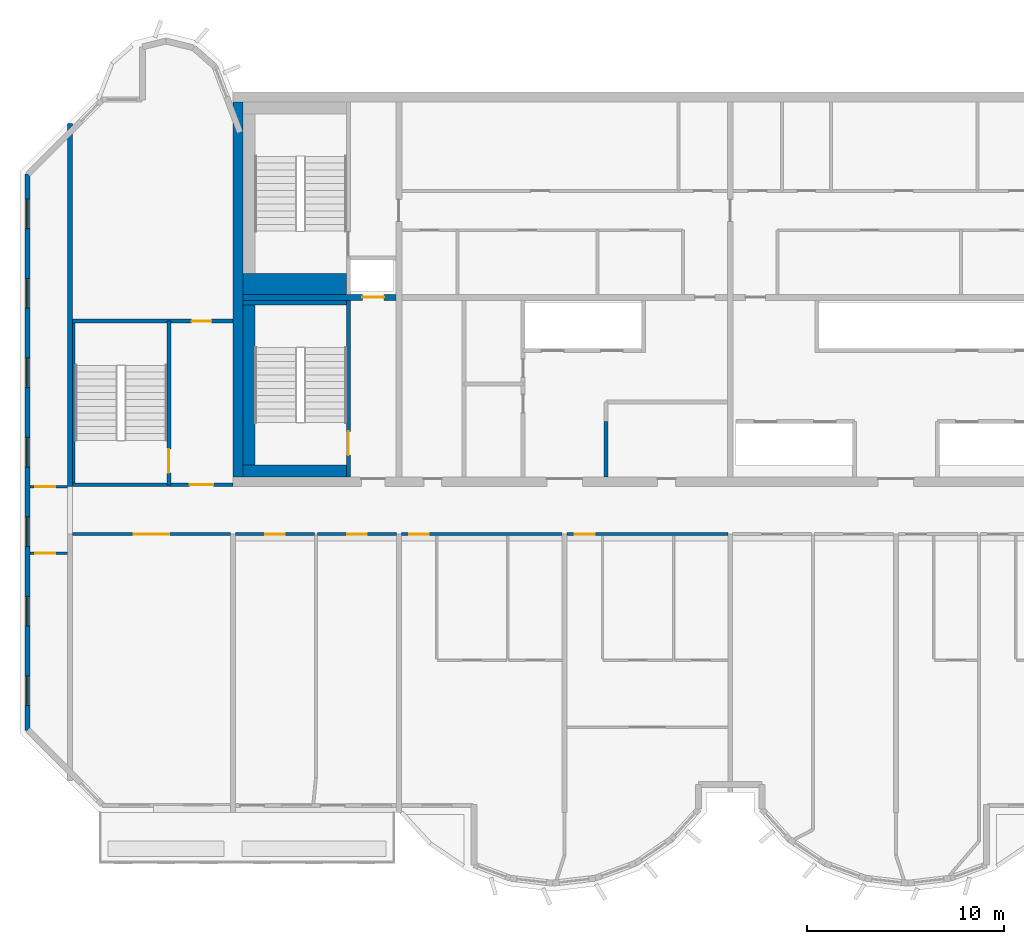
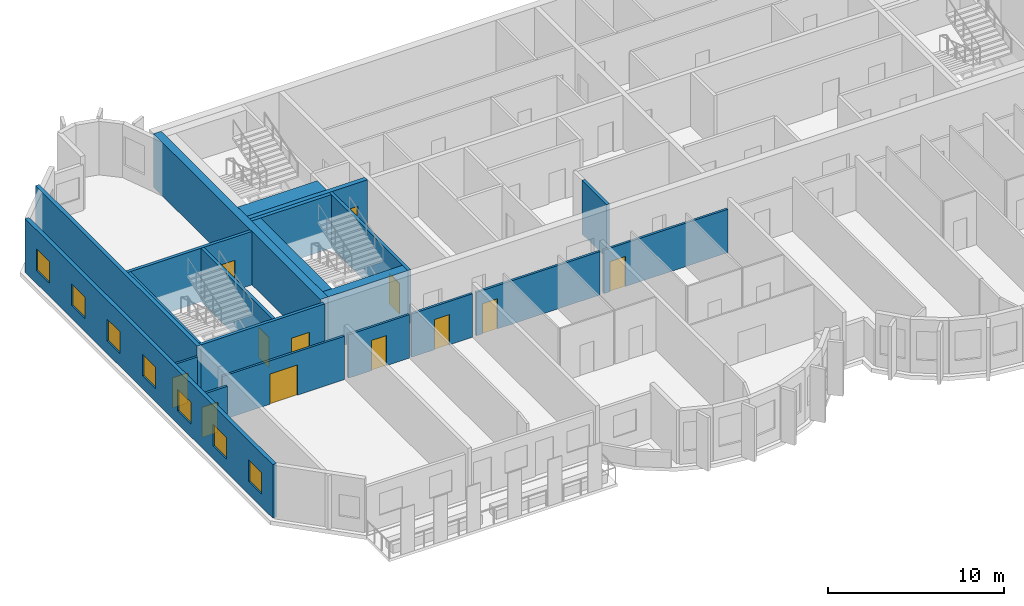
# One storey, part 3 of 12: 21 walls, 12 doors, 7 windows, 19 openings.
"""IFC4 building model written with IfcOpenShell, lengths in metres."""

from ifc_helpers import new_model, si_unit, direction, frame, frame_2d, origin, place, context, subcontext, project, spatial, rectangle, extrude, source, transform, mapped, material, layer, layer_set, type_object, element, fill, save


model = new_model("IFC4")

# Units and contexts
model_context = context("Model", 3, precision=1e-05, world=origin(), true_north=direction((0.0, 1.0)))
body_context = subcontext(model_context, "Body", "Model", "MODEL_VIEW")
ifc_project = project(units=[si_unit("LENGTHUNIT", "METRE"), si_unit("AREAUNIT", "SQUARE_METRE"), si_unit("VOLUMEUNIT", "CUBIC_METRE"), si_unit("PLANEANGLEUNIT", "RADIAN"), si_unit("MASSUNIT", "GRAM", prefix="KILO")], contexts=[model_context])

# Site, building, storey
site_placement = place(None, origin())
site = spatial("IfcSite", under=ifc_project, at=site_placement, CompositionType="ELEMENT")
building_placement = place(site_placement, origin())
building = spatial("IfcBuilding", under=site, at=building_placement, Name="Vanashikhar Sky Hotel", CompositionType="ELEMENT")
storey_placement = place(building_placement, frame((0.0, 0.0, 313.699951171875)))
storey = spatial("IfcBuildingStorey", under=building, at=storey_placement, Name="L75", CompositionType="ELEMENT", Elevation=313.699951171875)

# Wall
ifc_material_1 = material(Name="Concrete M50", Category="concrete")
ifc_layer_1 = layer(ifc_material_1, 0.5)
ifc_layer_set_1 = layer_set([ifc_layer_1], Name="RC core shell wall 500 Concrete M50")
wall_type_1 = type_object("IfcWallType", Name="RC core shell wall 500 Concrete M50", PredefinedType="SHEAR", material=ifc_layer_set_1)
shared_shape_1 = source(origin(), body_context, "Body", "SweptSolid", [
    extrude(rectangle(XDim=19.0, YDim=0.5, at=frame_2d((9.5, 0.0))), origin(), (0.0, 0.0, 1.0), 3.719970703125),
])
wall_1_placement = place(storey_placement, frame((25.449951171875, 22.5, 0.0), z_axis=(0.0, 0.0, 1.0), x_axis=(0.0, 1.0, 0.0)))
element("IfcWall", 1, at=wall_1_placement, inside=storey, type_object=wall_type_1, Name="KW-L75-KW", PredefinedType="SHEAR", context=body_context, shape_type="MappedRepresentation", body=[
    mapped(shared_shape_1, transform((0.0, 0.0, 0.0), scale=1.0)),
])

# Wall, opening, door
ifc_layer_2 = layer(ifc_material_1, 0.300048828125)
ifc_layer_set_2 = layer_set([ifc_layer_2], Name="RC core inner wall 300 Concrete M50")
wall_type_2 = type_object("IfcWallType", Name="RC core inner wall 300 Concrete M50", PredefinedType="SHEAR", material=ifc_layer_set_2)
shared_shape_2 = source(origin(), body_context, "Body", "SweptSolid", [
    extrude(rectangle(XDim=7.75, YDim=0.300048828125, at=frame_2d((3.875, 0.0))), origin(), (0.0, 0.0, 1.0), 3.719970703125),
])
wall_2_placement = place(storey_placement, frame((25.699951171875, 31.60009765625, 0.0), z_axis=(0.0, 0.0, 1.0), x_axis=(1.0, 0.0, 0.0)))
wall_2 = element("IfcWall", 2, at=wall_2_placement, inside=storey, type_object=wall_type_2, Name="KW-L75-KY1", PredefinedType="SHEAR", context=body_context, shape_type="MappedRepresentation", body=[
    mapped(shared_shape_2, transform((0.0, 0.0, 0.0), scale=1.0)),
])
shared_shape_3 = source(origin(), body_context, "Body", "SweptSolid", [
    extrude(rectangle(XDim=1.10009765625, YDim=2.10009765625, at=frame_2d((0.550048828125, 1.050048828125))), frame((0.0, 0.16015625, 0.0), z_axis=(0.0, -1.0, 0.0), x_axis=(1.0, 0.0, 0.0)), (0.0, 0.0, 1.0), 0.320068359375),
])
opening_1_placement = place(wall_2_placement, frame((6.050048828125, 0.0, 0.0)))
opening_1 = element("IfcOpeningElement", 3, at=opening_1_placement, cuts=wall_2, Name="Opening LD", PredefinedType="OPENING", context=body_context, shape_type="MappedRepresentation", body=[
    mapped(shared_shape_3, transform((0.0, 0.0, 0.0), scale=1.0)),
])
ifc_material_2 = material(Name="Stainless steel", Category="steel")
door_type_1 = type_object("IfcDoorType", Name="Lift landing door 1100", OperationType="NOTDEFINED", PredefinedType="DOOR", material=ifc_material_2)
shared_shape_4 = source(origin(), body_context, "Body", "SweptSolid", [
    extrude(rectangle(XDim=1.10009765625, YDim=2.10009765625, at=frame_2d((0.550048828125, 1.050048828125))), frame((0.0, 0.02490234375, 0.0), z_axis=(0.0, -1.0, 0.0), x_axis=(1.0, 0.0, 0.0)), (0.0, 0.0, 1.0), 0.050048828125),
])
door_1_placement = place(opening_1_placement, origin())
door_1 = element("IfcDoor", 4, at=door_1_placement, inside=storey, type_object=door_type_1, Name="Lift landing door 1100", OperationType="SLIDING_TO_RIGHT", OverallHeight=2.10009765625, OverallWidth=1.10009765625, PredefinedType="DOOR", context=body_context, shape_type="MappedRepresentation", body=[
    mapped(shared_shape_4, transform((0.0, 0.0, 0.0), scale=1.0)),
])
fill(opening_1, door_1)

# Wall
ifc_layer_3 = layer(ifc_material_1, 0.25)
ifc_layer_set_3 = layer_set([ifc_layer_3], Name="RC shear wall 250 Concrete M50")
wall_type_3 = type_object("IfcWallType", Name="RC shear wall 250 Concrete M50", PredefinedType="SHEAR", material=ifc_layer_set_3)
shared_shape_5 = source(origin(), body_context, "Body", "SweptSolid", [
    extrude(rectangle(XDim=18.39990234375, YDim=0.25, at=frame_2d((9.199951171875, 0.0))), origin(), (0.0, 0.0, 1.0), 3.719970703125),
])
wall_3_placement = place(storey_placement, frame((16.925048828125, 22.0, 0.0), z_axis=(0.0, 0.0, 1.0), x_axis=(0.0, 1.0, 0.0)))
element("IfcWall", 5, at=wall_3_placement, inside=storey, type_object=wall_type_3, Name="CW-L75-XW03-2", PredefinedType="SHEAR", context=body_context, shape_type="MappedRepresentation", body=[
    mapped(shared_shape_5, transform((0.0, 0.0, 0.0), scale=1.0)),
])

# Wall, openings, windows
ifc_layer_4 = layer(ifc_material_1, 0.25)
ifc_layer_set_4 = layer_set([ifc_layer_4], Name="Rear and end board-marked wall 250")
wall_type_4 = type_object("IfcWallType", Name="Rear and end board-marked wall 250", PredefinedType="SOLIDWALL", material=ifc_layer_set_4)
shared_shape_6 = source(origin(), body_context, "Body", "SweptSolid", [
    extrude(rectangle(XDim=28.189453125, YDim=0.25, at=frame_2d((14.0947265625, 0.0))), origin(), (0.0, 0.0, 1.0), 3.719970703125),
])
wall_4_placement = place(storey_placement, frame((14.77490234375, 37.8447265625, 0.0), z_axis=(0.0, 0.0, 1.0), x_axis=(0.0, -1.0, 0.0)))
wall_4 = element("IfcWall", 6, at=wall_4_placement, inside=storey, type_object=wall_type_4, Name="End board-marked wall", PredefinedType="SOLIDWALL", context=body_context, shape_type="MappedRepresentation", body=[
    mapped(shared_shape_6, transform((0.0, 0.0, 0.0), scale=1.0)),
])
shared_shape_7 = source(origin(), body_context, "Body", "SweptSolid", [
    extrude(rectangle(XDim=1.5, YDim=1.5, at=frame_2d((0.75, 0.75))), frame((0.0, 0.135009765625, 0.0), z_axis=(0.0, -1.0, 0.0), x_axis=(1.0, 0.0, 0.0)), (0.0, 0.0, 1.0), 0.27001953125),
])
opening_2_placement = place(wall_4_placement, frame((1.263427734375, 0.0, 0.89990234375)))
opening_2 = element("IfcOpeningElement", 7, at=opening_2_placement, cuts=wall_4, Name="Opening WN-1", PredefinedType="OPENING", context=body_context, shape_type="MappedRepresentation", body=[
    mapped(shared_shape_7, transform((0.0, 0.0, 0.0), scale=1.0)),
])
opening_3_placement = place(wall_4_placement, frame((5.29052734375, 0.0, 0.89990234375)))
opening_3 = element("IfcOpeningElement", 8, at=opening_3_placement, cuts=wall_4, Name="Opening WN-1", PredefinedType="OPENING", context=body_context, shape_type="MappedRepresentation", body=[
    mapped(shared_shape_7, transform((0.0, 0.0, 0.0), scale=1.0)),
])
opening_4_placement = place(wall_4_placement, frame((9.317626953125, 0.0, 0.89990234375)))
opening_4 = element("IfcOpeningElement", 9, at=opening_4_placement, cuts=wall_4, Name="Opening WN-1", PredefinedType="OPENING", context=body_context, shape_type="MappedRepresentation", body=[
    mapped(shared_shape_7, transform((0.0, 0.0, 0.0), scale=1.0)),
])
opening_5_placement = place(wall_4_placement, frame((13.3447265625, 0.0, 0.89990234375)))
opening_5 = element("IfcOpeningElement", 10, at=opening_5_placement, cuts=wall_4, Name="Opening WN-1", PredefinedType="OPENING", context=body_context, shape_type="MappedRepresentation", body=[
    mapped(shared_shape_7, transform((0.0, 0.0, 0.0), scale=1.0)),
])
opening_6_placement = place(wall_4_placement, frame((17.371826171875, 0.0, 0.89990234375)))
opening_6 = element("IfcOpeningElement", 11, at=opening_6_placement, cuts=wall_4, Name="Opening WN-1", PredefinedType="OPENING", context=body_context, shape_type="MappedRepresentation", body=[
    mapped(shared_shape_7, transform((0.0, 0.0, 0.0), scale=1.0)),
])
opening_7_placement = place(wall_4_placement, frame((21.398681640625, 0.0, 0.89990234375)))
opening_7 = element("IfcOpeningElement", 12, at=opening_7_placement, cuts=wall_4, Name="Opening WN-1", PredefinedType="OPENING", context=body_context, shape_type="MappedRepresentation", body=[
    mapped(shared_shape_7, transform((0.0, 0.0, 0.0), scale=1.0)),
])
opening_8_placement = place(wall_4_placement, frame((25.42578125, 0.0, 0.89990234375)))
opening_8 = element("IfcOpeningElement", 13, at=opening_8_placement, cuts=wall_4, Name="Opening WN-1", PredefinedType="OPENING", context=body_context, shape_type="MappedRepresentation", body=[
    mapped(shared_shape_7, transform((0.0, 0.0, 0.0), scale=1.0)),
])
ifc_material_3 = material(Name="Glass", Category="glass")
window_type = type_object("IfcWindowType", Name="Window 1500 x 1500", PartitioningType="SINGLE_PANEL", PredefinedType="WINDOW", material=ifc_material_3)
shared_shape_8 = source(origin(), body_context, "Body", "SweptSolid", [
    extrude(rectangle(XDim=1.5, YDim=1.5, at=frame_2d((0.75, 0.75))), frame((0.0, 0.030029296875, 0.0), z_axis=(0.0, -1.0, 0.0), x_axis=(1.0, 0.0, 0.0)), (0.0, 0.0, 1.0), 0.06005859375),
])
window_1_placement = place(opening_2_placement, origin())
window_1 = element("IfcWindow", 14, at=window_1_placement, inside=storey, type_object=window_type, Name="Window WN-1", OverallHeight=1.5, OverallWidth=1.5, PartitioningType="SINGLE_PANEL", PredefinedType="WINDOW", context=body_context, shape_type="MappedRepresentation", body=[
    mapped(shared_shape_8, transform((0.0, 0.0, 0.0), scale=1.0)),
])
fill(opening_2, window_1)
window_2_placement = place(opening_3_placement, origin())
window_2 = element("IfcWindow", 15, at=window_2_placement, inside=storey, type_object=window_type, Name="Window WN-1", OverallHeight=1.5, OverallWidth=1.5, PartitioningType="SINGLE_PANEL", PredefinedType="WINDOW", context=body_context, shape_type="MappedRepresentation", body=[
    mapped(shared_shape_8, transform((0.0, 0.0, 0.0), scale=1.0)),
])
fill(opening_3, window_2)
window_3_placement = place(opening_4_placement, origin())
window_3 = element("IfcWindow", 16, at=window_3_placement, inside=storey, type_object=window_type, Name="Window WN-1", OverallHeight=1.5, OverallWidth=1.5, PartitioningType="SINGLE_PANEL", PredefinedType="WINDOW", context=body_context, shape_type="MappedRepresentation", body=[
    mapped(shared_shape_8, transform((0.0, 0.0, 0.0), scale=1.0)),
])
fill(opening_4, window_3)
window_4_placement = place(opening_5_placement, origin())
window_4 = element("IfcWindow", 17, at=window_4_placement, inside=storey, type_object=window_type, Name="Window WN-1", OverallHeight=1.5, OverallWidth=1.5, PartitioningType="SINGLE_PANEL", PredefinedType="WINDOW", context=body_context, shape_type="MappedRepresentation", body=[
    mapped(shared_shape_8, transform((0.0, 0.0, 0.0), scale=1.0)),
])
fill(opening_5, window_4)
window_5_placement = place(opening_6_placement, origin())
window_5 = element("IfcWindow", 18, at=window_5_placement, inside=storey, type_object=window_type, Name="Window WN-1", OverallHeight=1.5, OverallWidth=1.5, PartitioningType="SINGLE_PANEL", PredefinedType="WINDOW", context=body_context, shape_type="MappedRepresentation", body=[
    mapped(shared_shape_8, transform((0.0, 0.0, 0.0), scale=1.0)),
])
fill(opening_6, window_5)
window_6_placement = place(opening_7_placement, origin())
window_6 = element("IfcWindow", 19, at=window_6_placement, inside=storey, type_object=window_type, Name="Window WN-1", OverallHeight=1.5, OverallWidth=1.5, PartitioningType="SINGLE_PANEL", PredefinedType="WINDOW", context=body_context, shape_type="MappedRepresentation", body=[
    mapped(shared_shape_8, transform((0.0, 0.0, 0.0), scale=1.0)),
])
fill(opening_7, window_6)
window_7_placement = place(opening_8_placement, origin())
window_7 = element("IfcWindow", 20, at=window_7_placement, inside=storey, type_object=window_type, Name="Window WN-1", OverallHeight=1.5, OverallWidth=1.5, PartitioningType="SINGLE_PANEL", PredefinedType="WINDOW", context=body_context, shape_type="MappedRepresentation", body=[
    mapped(shared_shape_8, transform((0.0, 0.0, 0.0), scale=1.0)),
])
fill(opening_8, window_7)

# Wall
ifc_material_4 = material(Name="Gypsum board partition")
ifc_layer_5 = layer(ifc_material_4, 0.14990234375)
ifc_layer_set_5 = layer_set([ifc_layer_5], Name="Service partition 150")
wall_type_5 = type_object("IfcWallType", Name="Service partition 150", PredefinedType="PARTITIONING", material=ifc_layer_set_5)
shared_shape_9 = source(origin(), body_context, "Body", "SweptSolid", [
    extrude(rectangle(XDim=2.800048828125, YDim=0.199951171875, at=frame_2d((1.39990234375, 0.0))), origin(), (0.0, 0.0, 1.0), 3.719970703125),
])
wall_5_placement = place(storey_placement, frame((44.10009765625, 22.5, 0.0), z_axis=(0.0, 0.0, 1.0), x_axis=(0.0, 1.0, 0.0)))
element("IfcWall", 21, at=wall_5_placement, inside=storey, type_object=wall_type_5, Name="Service partition 150", PredefinedType="PARTITIONING", context=body_context, shape_type="MappedRepresentation", body=[
    mapped(shared_shape_9, transform((0.0, 0.0, 0.0), scale=1.0)),
])

# Wall, opening, door
ifc_layer_6 = layer(ifc_material_1, 0.199951171875)
ifc_layer_set_6 = layer_set([ifc_layer_6], Name="Stair wall 200")
wall_type_6 = type_object("IfcWallType", Name="Stair wall 200", PredefinedType="SOLIDWALL", material=ifc_layer_set_6)
shared_shape_10 = source(origin(), body_context, "Body", "SweptSolid", [
    extrude(rectangle(XDim=8.949951171875, YDim=0.199951171875, at=frame_2d((4.47509765625, 0.0))), origin(), (0.0, 0.0, 1.0), 3.719970703125),
])
wall_6_placement = place(storey_placement, frame((31.050048828125, 22.5, 0.0), z_axis=(0.0, 0.0, 1.0), x_axis=(0.0, 1.0, 0.0)))
wall_6 = element("IfcWall", 22, at=wall_6_placement, inside=storey, type_object=wall_type_6, Name="Stair wall 200", PredefinedType="SOLIDWALL", context=body_context, shape_type="MappedRepresentation", body=[
    mapped(shared_shape_10, transform((0.0, 0.0, 0.0), scale=1.0)),
])
shared_shape_11 = source(origin(), body_context, "Body", "SweptSolid", [
    extrude(rectangle(XDim=1.199951171875, YDim=2.10009765625, at=frame_2d((0.60009765625, 1.050048828125))), frame((0.0, 0.10986328125, 0.0), z_axis=(0.0, -1.0, 0.0), x_axis=(1.0, 0.0, 0.0)), (0.0, 0.0, 1.0), 0.219970703125),
])
opening_9_placement = place(wall_6_placement, frame((1.10009765625, 0.0, 0.0)))
opening_9 = element("IfcOpeningElement", 23, at=opening_9_placement, cuts=wall_6, Name="Opening DC-1", PredefinedType="OPENING", context=body_context, shape_type="MappedRepresentation", body=[
    mapped(shared_shape_11, transform((0.0, 0.0, 0.0), scale=1.0)),
])
ifc_material_5 = material(Name="Steel", Category="steel")
door_type_2 = type_object("IfcDoorType", Name="Stair door 1200 FD120", OperationType="NOTDEFINED", PredefinedType="DOOR", material=ifc_material_5)
shared_shape_12 = source(origin(), body_context, "Body", "SweptSolid", [
    extrude(rectangle(XDim=1.199951171875, YDim=2.10009765625, at=frame_2d((0.60009765625, 1.050048828125))), frame((0.0, 0.02490234375, 0.0), z_axis=(0.0, -1.0, 0.0), x_axis=(1.0, 0.0, 0.0)), (0.0, 0.0, 1.0), 0.050048828125),
])
door_2_placement = place(opening_9_placement, origin())
door_2 = element("IfcDoor", 24, at=door_2_placement, inside=storey, type_object=door_type_2, Name="Stair door 1200 FD120", OperationType="SINGLE_SWING_RIGHT", OverallHeight=2.10009765625, OverallWidth=1.199951171875, PredefinedType="DOOR", context=body_context, shape_type="MappedRepresentation", body=[
    mapped(shared_shape_12, transform((0.0, 0.0, 0.0), scale=1.0)),
])
fill(opening_9, door_2)

shared_shape_13 = source(origin(), body_context, "Body", "SweptSolid", [
    extrude(rectangle(XDim=8.2998046875, YDim=0.199951171875, at=frame_2d((4.14990234375, 0.0))), origin(), (0.0, 0.0, 1.0), 3.719970703125),
])
wall_7_placement = place(storey_placement, frame((21.949951171875, 22.10009765625, 0.0), z_axis=(0.0, 0.0, 1.0), x_axis=(0.0, 1.0, 0.0)))
wall_7 = element("IfcWall", 25, at=wall_7_placement, inside=storey, type_object=wall_type_6, Name="Stair wall 200", PredefinedType="SOLIDWALL", context=body_context, shape_type="MappedRepresentation", body=[
    mapped(shared_shape_13, transform((0.0, 0.0, 0.0), scale=1.0)),
])
opening_10_placement = place(wall_7_placement, frame((0.60009765625, 0.0, 0.0)))
opening_10 = element("IfcOpeningElement", 26, at=opening_10_placement, cuts=wall_7, Name="Opening DC-1", PredefinedType="OPENING", context=body_context, shape_type="MappedRepresentation", body=[
    mapped(shared_shape_11, transform((0.0, 0.0, 0.0), scale=1.0)),
])
door_3_placement = place(opening_10_placement, origin())
door_3 = element("IfcDoor", 27, at=door_3_placement, inside=storey, type_object=door_type_2, Name="Stair door 1200 FD120", OperationType="SINGLE_SWING_RIGHT", OverallHeight=2.10009765625, OverallWidth=1.199951171875, PredefinedType="DOOR", context=body_context, shape_type="MappedRepresentation", body=[
    mapped(shared_shape_12, transform((0.0, 0.0, 0.0), scale=1.0)),
])
fill(opening_10, door_3)

shared_shape_14 = source(origin(), body_context, "Body", "SweptSolid", [
    extrude(rectangle(XDim=8.14990234375, YDim=0.199951171875, at=frame_2d((4.074951171875, 0.0))), origin(), (0.0, 0.0, 1.0), 3.719970703125),
])
wall_8_placement = place(storey_placement, frame((17.050048828125, 22.10009765625, 0.0), z_axis=(0.0, 0.0, 1.0), x_axis=(1.0, 0.0, 0.0)))
wall_8 = element("IfcWall", 28, at=wall_8_placement, inside=storey, type_object=wall_type_6, Name="Stair wall 200", PredefinedType="SOLIDWALL", context=body_context, shape_type="MappedRepresentation", body=[
    mapped(shared_shape_14, transform((0.0, 0.0, 0.0), scale=1.0)),
])
opening_11_placement = place(wall_8_placement, frame((5.949951171875, 0.0, 0.0)))
opening_11 = element("IfcOpeningElement", 29, at=opening_11_placement, cuts=wall_8, Name="Opening DC-2", PredefinedType="OPENING", context=body_context, shape_type="MappedRepresentation", body=[
    mapped(shared_shape_11, transform((0.0, 0.0, 0.0), scale=1.0)),
])
door_type_3 = type_object("IfcDoorType", Name="Firefighting lobby door 1200 FD120", OperationType="NOTDEFINED", PredefinedType="DOOR", material=ifc_material_5)
door_4_placement = place(opening_11_placement, origin())
door_4 = element("IfcDoor", 30, at=door_4_placement, inside=storey, type_object=door_type_3, Name="Firefighting lobby door 1200 FD120", OperationType="SINGLE_SWING_LEFT", OverallHeight=2.10009765625, OverallWidth=1.199951171875, PredefinedType="DOOR", context=body_context, shape_type="MappedRepresentation", body=[
    mapped(shared_shape_12, transform((0.0, 0.0, 0.0), scale=1.0)),
])
fill(opening_11, door_4)

wall_9_placement = place(storey_placement, frame((17.050048828125, 30.39990234375, 0.0), z_axis=(0.0, 0.0, 1.0), x_axis=(1.0, 0.0, 0.0)))
wall_9 = element("IfcWall", 31, at=wall_9_placement, inside=storey, type_object=wall_type_6, Name="Stair wall 200", PredefinedType="SOLIDWALL", context=body_context, shape_type="MappedRepresentation", body=[
    mapped(shared_shape_14, transform((0.0, 0.0, 0.0), scale=1.0)),
])
shared_shape_15 = source(origin(), body_context, "Body", "SweptSolid", [
    extrude(rectangle(XDim=1.0, YDim=2.10009765625, at=frame_2d((0.5, 1.050048828125))), frame((0.0, 0.10986328125, 0.0), z_axis=(0.0, -1.0, 0.0), x_axis=(1.0, 0.0, 0.0)), (0.0, 0.0, 1.0), 0.219970703125),
])
opening_12_placement = place(wall_9_placement, frame((6.050048828125, 0.0, 0.0)))
opening_12 = element("IfcOpeningElement", 32, at=opening_12_placement, cuts=wall_9, Name="Opening DC-6", PredefinedType="OPENING", context=body_context, shape_type="MappedRepresentation", body=[
    mapped(shared_shape_15, transform((0.0, 0.0, 0.0), scale=1.0)),
])
door_type_4 = type_object("IfcDoorType", Name="Pocket door 1000 FD60", OperationType="NOTDEFINED", PredefinedType="DOOR", material=ifc_material_5)
shared_shape_16 = source(origin(), body_context, "Body", "SweptSolid", [
    extrude(rectangle(XDim=1.0, YDim=2.10009765625, at=frame_2d((0.5, 1.050048828125))), frame((0.0, 0.02490234375, 0.0), z_axis=(0.0, -1.0, 0.0), x_axis=(1.0, 0.0, 0.0)), (0.0, 0.0, 1.0), 0.050048828125),
])
door_5_placement = place(opening_12_placement, origin())
door_5 = element("IfcDoor", 33, at=door_5_placement, inside=storey, type_object=door_type_4, Name="Pocket door 1000 FD60", OperationType="SINGLE_SWING_LEFT", OverallHeight=2.10009765625, OverallWidth=1.0, PredefinedType="DOOR", context=body_context, shape_type="MappedRepresentation", body=[
    mapped(shared_shape_16, transform((0.0, 0.0, 0.0), scale=1.0)),
])
fill(opening_12, door_5)

# Walls
ifc_layer_7 = layer(ifc_material_1, 0.60009765625)
ifc_layer_set_7 = layer_set([ifc_layer_7], Name="Stair infill wall 600")
wall_type_7 = type_object("IfcWallType", Name="Stair infill wall 600", PredefinedType="SOLIDWALL", material=ifc_layer_set_7)
shared_shape_17 = source(origin(), body_context, "Body", "SweptSolid", [
    extrude(rectangle(XDim=5.25, YDim=0.60009765625, at=frame_2d((2.625, 0.0))), origin(), (0.0, 0.0, 1.0), 3.719970703125),
])
wall_10_placement = place(storey_placement, frame((25.699951171875, 22.800048828125, 0.0), z_axis=(0.0, 0.0, 1.0), x_axis=(1.0, 0.0, 0.0)))
element("IfcWall", 34, at=wall_10_placement, inside=storey, type_object=wall_type_7, Name="Stair infill wall 600", PredefinedType="SOLIDWALL", context=body_context, shape_type="MappedRepresentation", body=[
    mapped(shared_shape_17, transform((0.0, 0.0, 0.0), scale=1.0)),
])
ifc_layer_8 = layer(ifc_material_1, 0.25)
ifc_layer_set_8 = layer_set([ifc_layer_8], Name="Stair infill wall 250")
wall_type_8 = type_object("IfcWallType", Name="Stair infill wall 250", PredefinedType="SOLIDWALL", material=ifc_layer_set_8)
shared_shape_18 = source(origin(), body_context, "Body", "SweptSolid", [
    extrude(rectangle(XDim=5.25, YDim=0.25, at=frame_2d((2.625, 0.0))), origin(), (0.0, 0.0, 1.0), 3.719970703125),
])
wall_11_placement = place(storey_placement, frame((25.699951171875, 31.324951171875, 0.0), z_axis=(0.0, 0.0, 1.0), x_axis=(1.0, 0.0, 0.0)))
element("IfcWall", 35, at=wall_11_placement, inside=storey, type_object=wall_type_8, Name="Stair infill wall 250", PredefinedType="SOLIDWALL", context=body_context, shape_type="MappedRepresentation", body=[
    mapped(shared_shape_18, transform((0.0, 0.0, 0.0), scale=1.0)),
])
shared_shape_19 = source(origin(), body_context, "Body", "SweptSolid", [
    extrude(rectangle(XDim=8.099853515625, YDim=0.60009765625, at=frame_2d((4.0498046875, 0.0))), origin(), (0.0, 0.0, 1.0), 3.719970703125),
])
wall_12_placement = place(storey_placement, frame((26.0, 23.10009765625, 0.0), z_axis=(0.0, 0.0, 1.0), x_axis=(0.0, 1.0, 0.0)))
element("IfcWall", 36, at=wall_12_placement, inside=storey, type_object=wall_type_7, Name="Stair infill wall 600", PredefinedType="SOLIDWALL", context=body_context, shape_type="MappedRepresentation", body=[
    mapped(shared_shape_19, transform((0.0, 0.0, 0.0), scale=1.0)),
])
ifc_layer_9 = layer(ifc_material_1, 0.14990234375)
ifc_layer_set_9 = layer_set([ifc_layer_9], Name="Stair infill wall 150")
wall_type_9 = type_object("IfcWallType", Name="Stair infill wall 150", PredefinedType="SOLIDWALL", material=ifc_layer_set_9)
shared_shape_20 = source(origin(), body_context, "Body", "SweptSolid", [
    extrude(rectangle(XDim=8.10009765625, YDim=0.14990234375, at=frame_2d((4.050048828125, 0.0))), origin(), (0.0, 0.0, 1.0), 3.719970703125),
])
wall_13_placement = place(storey_placement, frame((17.125, 22.199951171875, 0.0), z_axis=(0.0, 0.0, 1.0), x_axis=(0.0, 1.0, 0.0)))
element("IfcWall", 37, at=wall_13_placement, inside=storey, type_object=wall_type_9, Name="Stair infill wall 150", PredefinedType="SOLIDWALL", context=body_context, shape_type="MappedRepresentation", body=[
    mapped(shared_shape_20, transform((0.0, 0.0, 0.0), scale=1.0)),
])
ifc_layer_10 = layer(ifc_material_1, 1.050048828125)
ifc_layer_set_10 = layer_set([ifc_layer_10], Name="Stair infill wall 1050")
wall_type_10 = type_object("IfcWallType", Name="Stair infill wall 1050", PredefinedType="SOLIDWALL", material=ifc_layer_set_10)
shared_shape_21 = source(origin(), body_context, "Body", "SweptSolid", [
    extrude(rectangle(XDim=5.25, YDim=1.050048828125, at=frame_2d((2.625, 0.0))), origin(), (0.0, 0.0, 1.0), 3.719970703125),
])
wall_14_placement = place(storey_placement, frame((25.699951171875, 32.27490234375, 0.0), z_axis=(0.0, 0.0, 1.0), x_axis=(1.0, 0.0, 0.0)))
element("IfcWall", 38, at=wall_14_placement, inside=storey, type_object=wall_type_10, Name="Stair infill wall 1050", PredefinedType="SOLIDWALL", context=body_context, shape_type="MappedRepresentation", body=[
    mapped(shared_shape_21, transform((0.0, 0.0, 0.0), scale=1.0)),
])

# Wall, opening, door
ifc_material_6 = material(Name="Gypsum plasterboard partition")
ifc_layer_11 = layer(ifc_material_6, 0.14990234375)
ifc_layer_set_11 = layer_set([ifc_layer_11], Name="Corridor and demising partition 150")
wall_type_11 = type_object("IfcWallType", Name="Corridor and demising partition 150", PredefinedType="PARTITIONING", material=ifc_layer_set_11)
shared_shape_22 = source(origin(), body_context, "Body", "SweptSolid", [
    extrude(rectangle(XDim=8.02490234375, YDim=0.14990234375, at=frame_2d((4.012451171875, 0.0))), origin(), (0.0, 0.0, 1.0), 3.02001953125),
])
wall_15_placement = place(storey_placement, frame((17.050048828125, 19.60009765625, 0.0), z_axis=(0.0, 0.0, 1.0), x_axis=(1.0, 0.0, 0.0)))
wall_15 = element("IfcWall", 39, at=wall_15_placement, inside=storey, type_object=wall_type_11, Name="W-L75-PW001", PredefinedType="PARTITIONING", context=body_context, shape_type="MappedRepresentation", body=[
    mapped(shared_shape_22, transform((0.0, 0.0, 0.0), scale=1.0)),
])
shared_shape_23 = source(origin(), body_context, "Body", "SweptSolid", [
    extrude(rectangle(XDim=1.800048828125, YDim=2.10009765625, at=frame_2d((0.89990234375, 1.050048828125))), frame((0.0, 0.0849609375, 0.0), z_axis=(0.0, -1.0, 0.0), x_axis=(1.0, 0.0, 0.0)), (0.0, 0.0, 1.0), 0.169921875),
])
opening_13_placement = place(wall_15_placement, frame((3.113037109375, 0.0, 0.0)))
opening_13 = element("IfcOpeningElement", 40, at=opening_13_placement, cuts=wall_15, Name="Opening D-03", PredefinedType="OPENING", context=body_context, shape_type="MappedRepresentation", body=[
    mapped(shared_shape_23, transform((0.0, 0.0, 0.0), scale=1.0)),
])
ifc_material_7 = material(Name="Timber fire door", Category="wood")
door_type_5 = type_object("IfcDoorType", Name="Double leaf door 1800 FD30S", OperationType="NOTDEFINED", PredefinedType="DOOR", material=ifc_material_7)
shared_shape_24 = source(origin(), body_context, "Body", "SweptSolid", [
    extrude(rectangle(XDim=1.800048828125, YDim=2.10009765625, at=frame_2d((0.89990234375, 1.050048828125))), frame((0.0, 0.02490234375, 0.0), z_axis=(0.0, -1.0, 0.0), x_axis=(1.0, 0.0, 0.0)), (0.0, 0.0, 1.0), 0.050048828125),
])
door_6_placement = place(opening_13_placement, origin())
door_6 = element("IfcDoor", 41, at=door_6_placement, inside=storey, type_object=door_type_5, Name="D-L75-001", OperationType="DOUBLE_DOOR_SINGLE_SWING", OverallHeight=2.10009765625, OverallWidth=1.800048828125, PredefinedType="DOOR", context=body_context, shape_type="MappedRepresentation", body=[
    mapped(shared_shape_24, transform((0.0, 0.0, 0.0), scale=1.0)),
])
fill(opening_13, door_6)

shared_shape_25 = source(origin(), body_context, "Body", "SweptSolid", [
    extrude(rectangle(XDim=8.14990234375, YDim=0.14990234375, at=frame_2d((4.074951171875, 0.0))), origin(), (0.0, 0.0, 1.0), 3.02001953125),
])
wall_16_placement = place(storey_placement, frame((33.72509765625, 19.60009765625, 0.0), z_axis=(0.0, 0.0, 1.0), x_axis=(1.0, 0.0, 0.0)))
wall_16 = element("IfcWall", 42, at=wall_16_placement, inside=storey, type_object=wall_type_11, Name="W-L75-PW009", PredefinedType="PARTITIONING", context=body_context, shape_type="MappedRepresentation", body=[
    mapped(shared_shape_25, transform((0.0, 0.0, 0.0), scale=1.0)),
])
shared_shape_26 = source(origin(), body_context, "Body", "SweptSolid", [
    extrude(rectangle(XDim=1.0, YDim=2.10009765625, at=frame_2d((0.5, 1.050048828125))), frame((0.0, 0.0849609375, 0.0), z_axis=(0.0, -1.0, 0.0), x_axis=(1.0, 0.0, 0.0)), (0.0, 0.0, 1.0), 0.169921875),
])
opening_14_placement = place(wall_16_placement, frame((0.39990234375, 0.0, 0.0)))
opening_14 = element("IfcOpeningElement", 43, at=opening_14_placement, cuts=wall_16, Name="Opening D-01", PredefinedType="OPENING", context=body_context, shape_type="MappedRepresentation", body=[
    mapped(shared_shape_26, transform((0.0, 0.0, 0.0), scale=1.0)),
])
door_type_6 = type_object("IfcDoorType", Name="Guest entry door 1000 FD30S", OperationType="NOTDEFINED", PredefinedType="DOOR", material=ifc_material_7)
door_7_placement = place(opening_14_placement, origin())
door_7 = element("IfcDoor", 44, at=door_7_placement, inside=storey, type_object=door_type_6, Name="D-L75-006", OperationType="SINGLE_SWING_LEFT", OverallHeight=2.10009765625, OverallWidth=1.0, PredefinedType="DOOR", context=body_context, shape_type="MappedRepresentation", body=[
    mapped(shared_shape_16, transform((0.0, 0.0, 0.0), scale=1.0)),
])
fill(opening_14, door_7)

wall_17_placement = place(storey_placement, frame((42.125, 19.60009765625, 0.0), z_axis=(0.0, 0.0, 1.0), x_axis=(1.0, 0.0, 0.0)))
wall_17 = element("IfcWall", 45, at=wall_17_placement, inside=storey, type_object=wall_type_11, Name="W-L75-PW015", PredefinedType="PARTITIONING", context=body_context, shape_type="MappedRepresentation", body=[
    mapped(shared_shape_25, transform((0.0, 0.0, 0.0), scale=1.0)),
])
opening_15_placement = place(wall_17_placement, frame((0.39990234375, 0.0, 0.0)))
opening_15 = element("IfcOpeningElement", 46, at=opening_15_placement, cuts=wall_17, Name="Opening D-01", PredefinedType="OPENING", context=body_context, shape_type="MappedRepresentation", body=[
    mapped(shared_shape_26, transform((0.0, 0.0, 0.0), scale=1.0)),
])
door_8_placement = place(opening_15_placement, origin())
door_8 = element("IfcDoor", 47, at=door_8_placement, inside=storey, type_object=door_type_6, Name="D-L75-010", OperationType="SINGLE_SWING_LEFT", OverallHeight=2.10009765625, OverallWidth=1.0, PredefinedType="DOOR", context=body_context, shape_type="MappedRepresentation", body=[
    mapped(shared_shape_16, transform((0.0, 0.0, 0.0), scale=1.0)),
])
fill(opening_15, door_8)

shared_shape_27 = source(origin(), body_context, "Body", "SweptSolid", [
    extrude(rectangle(XDim=1.900146484375, YDim=0.14990234375, at=frame_2d((0.9501953125, 0.0))), origin(), (0.0, 0.0, 1.0), 3.02001953125),
])
wall_18_placement = place(storey_placement, frame((14.89990234375, 22.0, 0.0), z_axis=(0.0, 0.0, 1.0), x_axis=(1.0, 0.0, 0.0)))
wall_18 = element("IfcWall", 48, at=wall_18_placement, inside=storey, type_object=wall_type_11, Name="W-L75-PW040", PredefinedType="PARTITIONING", context=body_context, shape_type="MappedRepresentation", body=[
    mapped(shared_shape_27, transform((0.0, 0.0, 0.0), scale=1.0)),
])
opening_16_placement = place(wall_18_placement, frame((0.27490234375, 0.0, 0.0)))
opening_16 = element("IfcOpeningElement", 49, at=opening_16_placement, cuts=wall_18, Name="Opening D-01", PredefinedType="OPENING", context=body_context, shape_type="MappedRepresentation", body=[
    mapped(shared_shape_26, transform((0.0, 0.0, 0.0), scale=1.0)),
])
door_9_placement = place(opening_16_placement, origin())
door_9 = element("IfcDoor", 50, at=door_9_placement, inside=storey, type_object=door_type_6, Name="D-L75-024", OperationType="SINGLE_SWING_LEFT", OverallHeight=2.10009765625, OverallWidth=1.0, PredefinedType="DOOR", context=body_context, shape_type="MappedRepresentation", body=[
    mapped(shared_shape_16, transform((0.0, 0.0, 0.0), scale=1.0)),
])
fill(opening_16, door_9)

wall_19_placement = place(storey_placement, frame((14.89990234375, 18.6279296875, 0.0), z_axis=(0.0, 0.0, 1.0), x_axis=(1.0, 0.0, 0.0)))
wall_19 = element("IfcWall", 51, at=wall_19_placement, inside=storey, type_object=wall_type_11, Name="W-L75-PW042", PredefinedType="PARTITIONING", context=body_context, shape_type="MappedRepresentation", body=[
    mapped(shared_shape_27, transform((0.0, 0.0, 0.0), scale=1.0)),
])
opening_17_placement = place(wall_19_placement, frame((0.27490234375, 0.0, 0.0)))
opening_17 = element("IfcOpeningElement", 52, at=opening_17_placement, cuts=wall_19, Name="Opening D-01", PredefinedType="OPENING", context=body_context, shape_type="MappedRepresentation", body=[
    mapped(shared_shape_26, transform((0.0, 0.0, 0.0), scale=1.0)),
])
door_10_placement = place(opening_17_placement, origin())
door_10 = element("IfcDoor", 53, at=door_10_placement, inside=storey, type_object=door_type_6, Name="D-L75-026", OperationType="SINGLE_SWING_LEFT", OverallHeight=2.10009765625, OverallWidth=1.0, PredefinedType="DOOR", context=body_context, shape_type="MappedRepresentation", body=[
    mapped(shared_shape_16, transform((0.0, 0.0, 0.0), scale=1.0)),
])
fill(opening_17, door_10)

shared_shape_28 = source(origin(), body_context, "Body", "SweptSolid", [
    extrude(rectangle(XDim=4.0, YDim=0.14990234375, at=frame_2d((2.0, 0.0))), origin(), (0.0, 0.0, 1.0), 3.02001953125),
])
wall_20_placement = place(storey_placement, frame((25.324951171875, 19.60009765625, 0.0), z_axis=(0.0, 0.0, 1.0), x_axis=(1.0, 0.0, 0.0)))
wall_20 = element("IfcWall", 54, at=wall_20_placement, inside=storey, type_object=wall_type_11, Name="W-L75-PW002", PredefinedType="PARTITIONING", context=body_context, shape_type="MappedRepresentation", body=[
    mapped(shared_shape_28, transform((0.0, 0.0, 0.0), scale=1.0)),
])
opening_18_placement = place(wall_20_placement, frame((1.5, 0.0, 0.0)))
opening_18 = element("IfcOpeningElement", 55, at=opening_18_placement, cuts=wall_20, Name="Opening D-01", PredefinedType="OPENING", context=body_context, shape_type="MappedRepresentation", body=[
    mapped(shared_shape_26, transform((0.0, 0.0, 0.0), scale=1.0)),
])
door_11_placement = place(opening_18_placement, origin())
door_11 = element("IfcDoor", 56, at=door_11_placement, inside=storey, type_object=door_type_6, Name="D-L75-002", OperationType="SINGLE_SWING_LEFT", OverallHeight=2.10009765625, OverallWidth=1.0, PredefinedType="DOOR", context=body_context, shape_type="MappedRepresentation", body=[
    mapped(shared_shape_16, transform((0.0, 0.0, 0.0), scale=1.0)),
])
fill(opening_18, door_11)

wall_21_placement = place(storey_placement, frame((29.47509765625, 19.60009765625, 0.0), z_axis=(0.0, 0.0, 1.0), x_axis=(1.0, 0.0, 0.0)))
wall_21 = element("IfcWall", 57, at=wall_21_placement, inside=storey, type_object=wall_type_11, Name="W-L75-PW003", PredefinedType="PARTITIONING", context=body_context, shape_type="MappedRepresentation", body=[
    mapped(shared_shape_28, transform((0.0, 0.0, 0.0), scale=1.0)),
])
opening_19_placement = place(wall_21_placement, frame((1.5, 0.0, 0.0)))
opening_19 = element("IfcOpeningElement", 58, at=opening_19_placement, cuts=wall_21, Name="Opening D-01", PredefinedType="OPENING", context=body_context, shape_type="MappedRepresentation", body=[
    mapped(shared_shape_26, transform((0.0, 0.0, 0.0), scale=1.0)),
])
door_12_placement = place(opening_19_placement, origin())
door_12 = element("IfcDoor", 59, at=door_12_placement, inside=storey, type_object=door_type_6, Name="D-L75-003", OperationType="SINGLE_SWING_RIGHT", OverallHeight=2.10009765625, OverallWidth=1.0, PredefinedType="DOOR", context=body_context, shape_type="MappedRepresentation", body=[
    mapped(shared_shape_16, transform((0.0, 0.0, 0.0), scale=1.0)),
])
fill(opening_19, door_12)

save(model, "model.ifc")
